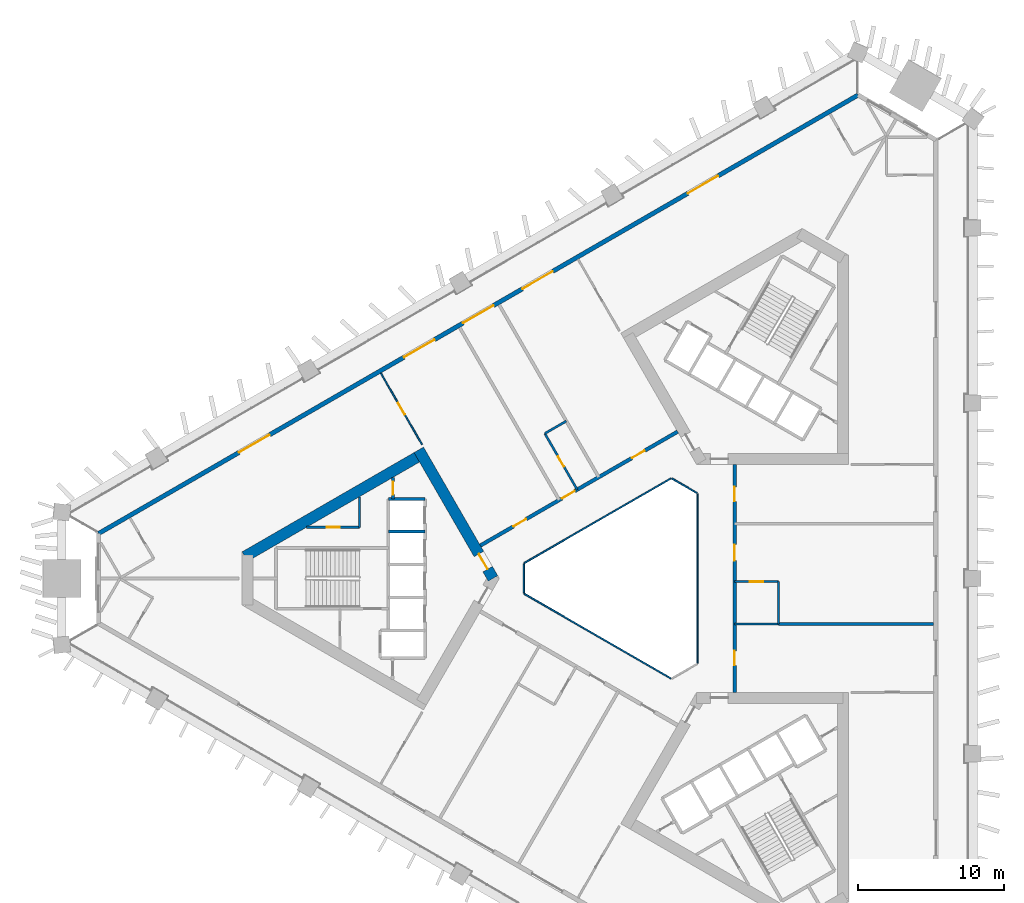
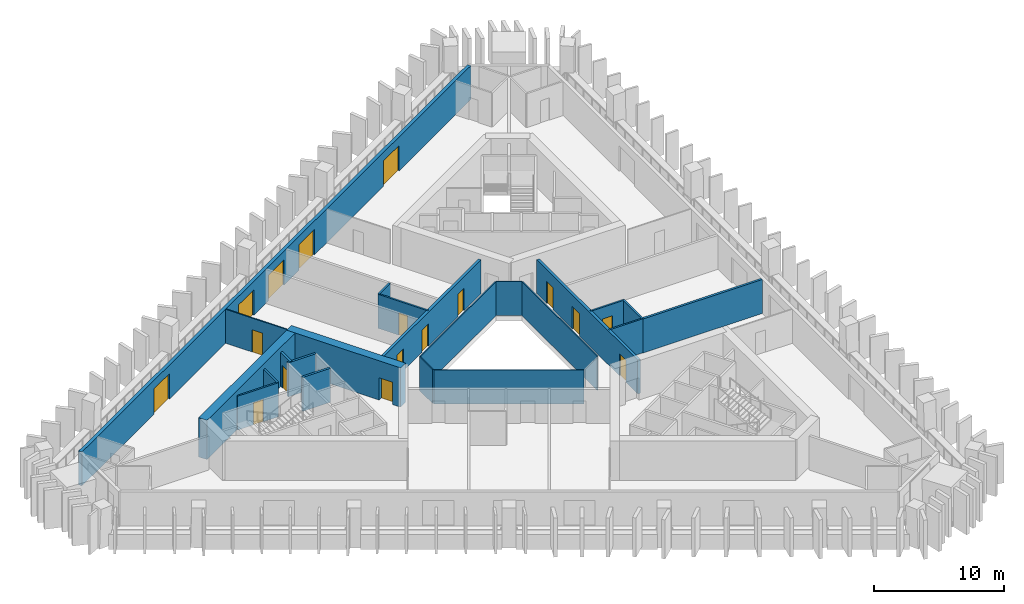
# One storey, part 5 of 11: 22 walls, 17 doors, 17 openings.
"""IFC4 building model written with IfcOpenShell, lengths in metres."""

from ifc_helpers import new_model, si_unit, direction, frame, frame_2d, origin, place, context, subcontext, project, spatial, rectangle, extrude, material, layer, layer_set, type_object, element, fill, save


model = new_model("IFC4")

# Units and contexts
model_context = context("Model", 3, precision=1e-05, world=origin(), true_north=direction((0.0, 1.0)))
body_context = subcontext(model_context, "Body", "Model", "MODEL_VIEW")
ifc_project = project(units=[si_unit("LENGTHUNIT", "METRE"), si_unit("AREAUNIT", "SQUARE_METRE"), si_unit("VOLUMEUNIT", "CUBIC_METRE"), si_unit("PLANEANGLEUNIT", "RADIAN"), si_unit("MASSUNIT", "GRAM", prefix="KILO")], contexts=[model_context])

# Site, building, storey
site_placement = place(None, origin())
site = spatial("IfcSite", under=ifc_project, at=site_placement, CompositionType="ELEMENT")
building_placement = place(site_placement, origin())
building = spatial("IfcBuilding", under=site, at=building_placement, Name="Jabali Bay Hotel Tower and Convention Centre", CompositionType="ELEMENT")
storey_placement = place(building_placement, frame((0.0, 0.0, 61.0)))
storey = spatial("IfcBuildingStorey", under=building, at=storey_placement, Name="L13", CompositionType="ELEMENT", Elevation=61.0)

# Walls
ifc_material_1 = material(Name="Fire-resistant glazing", Category="glass")
ifc_layer_1 = layer(ifc_material_1, 0.10009765625)
ifc_layer_set_1 = layer_set([ifc_layer_1], Name="Fire-resistant glazing")
wall_type_1 = type_object("IfcWallType", Name="Atrium glazed screen 100", PredefinedType="PARTITIONING", material=ifc_layer_set_1)
wall_1_placement = place(storey_placement, frame((79.56005859375, 74.205810546875, 0.0), z_axis=(0.0, 0.0, 1.0), x_axis=(0.0, 1.0, 0.0)))
element("IfcWall", 1, at=wall_1_placement, inside=storey, type_object=wall_type_1, Name="Atrium screen 1 L13", PredefinedType="PARTITIONING", context=body_context, shape_type="SweptSolid", body=[
    extrude(rectangle(XDim=11.58837890625, YDim=0.10009765625, at=frame_2d((5.794189453125, 0.0))), origin(), (0.0, 0.0, 1.0), 3.199951171875),
])
wall_2_placement = place(storey_placement, frame((79.530029296875, 85.84619140625, 0.0), z_axis=(0.0, 0.0, 1.0), x_axis=(-0.866041268327, 0.499972520799, 0.0)))
element("IfcWall", 2, at=wall_2_placement, inside=storey, type_object=wall_type_1, Name="Atrium screen 2 L13", PredefinedType="PARTITIONING", context=body_context, shape_type="SweptSolid", body=[
    extrude(rectangle(XDim=2.0, YDim=0.10009765625, at=frame_2d((1.0, 0.0))), origin(), (0.0, 0.0, 1.0), 3.199951171875),
])
wall_3_placement = place(storey_placement, frame((77.738037109375, 86.84619140625, 0.0), z_axis=(0.0, 0.0, 1.0), x_axis=(-0.866026658274, -0.499997827154, 0.0)))
element("IfcWall", 3, at=wall_3_placement, inside=storey, type_object=wall_type_1, Name="Atrium screen 3 L13", PredefinedType="PARTITIONING", context=body_context, shape_type="SweptSolid", body=[
    extrude(rectangle(XDim=11.58837890625, YDim=0.10009765625, at=frame_2d((5.794189453125, 0.0))), origin(), (0.0, 0.0, 1.0), 3.199951171875),
])
wall_4_placement = place(storey_placement, frame((67.672119140625, 81.0, 0.0), z_axis=(0.0, 0.0, 1.0), x_axis=(0.0, -1.0, 0.0)))
element("IfcWall", 4, at=wall_4_placement, inside=storey, type_object=wall_type_1, Name="Atrium screen 4 L13", PredefinedType="PARTITIONING", context=body_context, shape_type="SweptSolid", body=[
    extrude(rectangle(XDim=2.0, YDim=0.10009765625, at=frame_2d((1.0, 0.0))), origin(), (0.0, 0.0, 1.0), 3.199951171875),
])
wall_5_placement = place(storey_placement, frame((67.7021484375, 78.947998046875, 0.0), z_axis=(0.0, 0.0, 1.0), x_axis=(0.866026658274, -0.499997827154, 0.0)))
element("IfcWall", 5, at=wall_5_placement, inside=storey, type_object=wall_type_1, Name="Atrium screen 5 L13", PredefinedType="PARTITIONING", context=body_context, shape_type="SweptSolid", body=[
    extrude(rectangle(XDim=11.58837890625, YDim=0.10009765625, at=frame_2d((5.794189453125, 0.0))), origin(), (0.0, 0.0, 1.0), 3.199951171875),
])

# Wall, opening, door
ifc_material_2 = material(Name="Concrete C40", Category="concrete")
ifc_layer_2 = layer(ifc_material_2, 0.199951171875)
ifc_layer_set_2 = layer_set([ifc_layer_2], Name="Concrete C40")
wall_type_2 = type_object("IfcWallType", Name="Core partition wall 200", PredefinedType="PARTITIONING", material=ifc_layer_set_2)
wall_6_placement = place(storey_placement, frame((58.719970703125, 86.916748046875, 0.0), z_axis=(0.0, 0.0, 1.0), x_axis=(0.0, -1.0, 0.0)))
wall_6 = element("IfcWall", 6, at=wall_6_placement, inside=storey, type_object=wall_type_2, Name="Core wall 0.11 L13", PredefinedType="PARTITIONING", context=body_context, shape_type="SweptSolid", body=[
    extrude(rectangle(XDim=1.466796875, YDim=0.199951171875, at=frame_2d((0.7333984375, 0.0))), origin(), (0.0, 0.0, 1.0), 3.199951171875),
])
opening_1_placement = place(wall_6_placement, frame((0.283447265625, 0.0, 0.0)))
opening_1 = element("IfcOpeningElement", 7, at=opening_1_placement, cuts=wall_6, Name="Opening D349", PredefinedType="OPENING", context=body_context, shape_type="SweptSolid", body=[
    extrude(rectangle(XDim=0.89990234375, YDim=2.10009765625, at=frame_2d((0.449951171875, 1.050048828125))), frame((0.0, 0.1103515625, 0.0), z_axis=(0.0, -1.0, 0.0), x_axis=(1.0, 0.0, 0.0)), (0.0, 0.0, 1.0), 0.220947265625),
])
ifc_material_3 = material(Name="Fire-rated steel door", Category="steel")
door_type_1 = type_object("IfcDoorType", Name="Vestibule fire door 900 x 2100", OperationType="NOTDEFINED", PredefinedType="NOTDEFINED", material=ifc_material_3)
door_1_placement = place(opening_1_placement, origin())
door_1 = element("IfcDoor", 8, at=door_1_placement, inside=storey, type_object=door_type_1, Name="Vestibule fire door D349", OperationType="SINGLE_SWING_LEFT", OverallHeight=2.10009765625, OverallWidth=0.89990234375, PredefinedType="NOTDEFINED", context=body_context, shape_type="SweptSolid", body=[
    extrude(rectangle(XDim=0.89990234375, YDim=2.10009765625, at=frame_2d((0.449951171875, 1.050048828125))), frame((0.0, 0.02490234375, 0.0), z_axis=(0.0, -1.0, 0.0), x_axis=(1.0, 0.0, 0.0)), (0.0, 0.0, 1.0), 0.050048828125),
])
fill(opening_1, door_1)

ifc_material_4 = material(Name="Fire-rated board partition")
ifc_layer_3 = layer(ifc_material_4, 0.14990234375)
ifc_layer_set_3 = layer_set([ifc_layer_3], Name="Fire-rated board partition")
wall_type_3 = type_object("IfcWallType", Name="Core room partition 150", PredefinedType="PARTITIONING", material=ifc_layer_set_3)
wall_7_placement = place(storey_placement, frame((56.419921875, 83.5, 0.0), z_axis=(0.0, 0.0, 1.0), x_axis=(-1.0, 0.0, 0.0)))
wall_7 = element("IfcWall", 9, at=wall_7_placement, inside=storey, type_object=wall_type_3, Name="Core wall 0.1 L13", PredefinedType="PARTITIONING", context=body_context, shape_type="SweptSolid", body=[
    extrude(rectangle(XDim=3.61767578125, YDim=0.14990234375, at=frame_2d((1.808837890625, 0.0))), origin(), (0.0, 0.0, 1.0), 3.199951171875),
])
opening_2_placement = place(wall_7_placement, frame((1.33154296875, 0.0, 0.0)))
opening_2 = element("IfcOpeningElement", 10, at=opening_2_placement, cuts=wall_7, Name="Opening D351", PredefinedType="OPENING", context=body_context, shape_type="SweptSolid", body=[
    extrude(rectangle(XDim=0.89990234375, YDim=2.10009765625, at=frame_2d((0.449951171875, 1.050048828125))), frame((0.0, 0.08544921875, 0.0), z_axis=(0.0, -1.0, 0.0), x_axis=(1.0, 0.0, 0.0)), (0.0, 0.0, 1.0), 0.1708984375),
])
door_type_2 = type_object("IfcDoorType", Name="Core room door 900 x 2100", OperationType="NOTDEFINED", PredefinedType="NOTDEFINED", material=ifc_material_3)
door_2_placement = place(opening_2_placement, origin())
door_2 = element("IfcDoor", 11, at=door_2_placement, inside=storey, type_object=door_type_2, Name="Core room door D351", OperationType="SINGLE_SWING_LEFT", OverallHeight=2.10009765625, OverallWidth=0.89990234375, PredefinedType="NOTDEFINED", context=body_context, shape_type="SweptSolid", body=[
    extrude(rectangle(XDim=0.89990234375, YDim=2.10009765625, at=frame_2d((0.449951171875, 1.050048828125))), frame((0.0, 0.02490234375, 0.0), z_axis=(0.0, -1.0, 0.0), x_axis=(1.0, 0.0, 0.0)), (0.0, 0.0, 1.0), 0.050048828125),
])
fill(opening_2, door_2)

# Walls
wall_8_placement = place(storey_placement, frame((56.419921875, 85.5888671875, 0.0), z_axis=(0.0, 0.0, 1.0), x_axis=(0.0, -1.0, 0.0)))
element("IfcWall", 12, at=wall_8_placement, inside=storey, type_object=wall_type_3, Name="Core wall 0.15 L13", PredefinedType="PARTITIONING", context=body_context, shape_type="SweptSolid", body=[
    extrude(rectangle(XDim=2.0888671875, YDim=0.14990234375, at=frame_2d((1.04443359375, 0.0))), origin(), (0.0, 0.0, 1.0), 3.199951171875),
])
ifc_layer_4 = layer(ifc_material_2, 0.199951171875)
ifc_layer_set_4 = layer_set([ifc_layer_4], Name="Concrete C40")
wall_type_4 = type_object("IfcWallType", Name="Core stair wall 200", PredefinedType="SOLIDWALL", material=ifc_layer_set_4)
for number, where, z_axis, x_axis, name in (
    (13, (60.89990234375, 85.449951171875, 0.0), (0.0, 0.0, 1.0), (-1.0, 0.0, 0.0), "Core wall 0.0 L13"),
    (14, (60.89990234375, 83.199951171875, 0.0), (0.0, 0.0, 1.0), (-1.0, 0.0, 0.0), "Core wall 0.2 L13"),
):
    element("IfcWall", number, at=place(storey_placement, frame(where, z_axis=z_axis, x_axis=x_axis)), inside=storey, type_object=wall_type_4, Name=name, PredefinedType="SOLIDWALL", context=body_context, shape_type="SweptSolid", body=[
        extrude(rectangle(XDim=2.47998046875, YDim=0.199951171875, at=frame_2d((1.239990234375, 0.0))), origin(), (0.0, 0.0, 1.0), 3.199951171875),
    ])

# Wall, opening, door
ifc_material_5 = material(Name="Concrete C60", Category="concrete")
ifc_layer_5 = layer(ifc_material_5, 0.75)
ifc_layer_set_5 = layer_set([ifc_layer_5], Name="Concrete C60")
wall_type_5 = type_object("IfcWallType", Name="Core wall 750", PredefinedType="SHEAR", material=ifc_layer_set_5)
wall_9_placement = place(storey_placement, frame((65.56689453125, 80.0, 0.0), z_axis=(0.0, 0.0, 1.0), x_axis=(-0.499988615364, 0.866031976607, 0.0)))
wall_9 = element("IfcWall", 15, at=wall_9_placement, inside=storey, type_object=wall_type_5, Name="Core wall 1.1 L13", PredefinedType="SHEAR", context=body_context, shape_type="SweptSolid", body=[
    extrude(rectangle(XDim=10.163330078125, YDim=0.75, at=frame_2d((5.08154296875, 0.0))), origin(), (0.0, 0.0, 1.0), 3.699951171875),
])
opening_3_placement = place(wall_9_placement, frame((0.7333984375, 0.0, 0.0)))
opening_3 = element("IfcOpeningElement", 16, at=opening_3_placement, cuts=wall_9, Name="Opening D345", PredefinedType="OPENING", context=body_context, shape_type="SweptSolid", body=[
    extrude(rectangle(XDim=1.199951171875, YDim=2.10009765625, at=frame_2d((0.60009765625, 1.050048828125))), frame((0.0, 0.385498046875, 0.0), z_axis=(0.0, -1.0, 0.0), x_axis=(1.0, 0.0, 0.0)), (0.0, 0.0, 1.0), 0.77099609375),
])
door_type_3 = type_object("IfcDoorType", Name="Corridor end fire door 1200 x 2100", OperationType="NOTDEFINED", PredefinedType="NOTDEFINED", material=ifc_material_3)
door_3_placement = place(opening_3_placement, origin())
door_3 = element("IfcDoor", 17, at=door_3_placement, inside=storey, type_object=door_type_3, Name="Corridor end fire door D345", OperationType="SINGLE_SWING_RIGHT", OverallHeight=2.10009765625, OverallWidth=1.199951171875, PredefinedType="NOTDEFINED", context=body_context, shape_type="SweptSolid", body=[
    extrude(rectangle(XDim=1.199951171875, YDim=2.10009765625, at=frame_2d((0.60009765625, 1.050048828125))), frame((0.0, 0.02490234375, 0.0), z_axis=(0.0, -1.0, 0.0), x_axis=(1.0, 0.0, 0.0)), (0.0, 0.0, 1.0), 0.050048828125),
])
fill(opening_3, door_3)

# Wall
wall_10_placement = place(storey_placement, frame((60.6728515625, 88.47705078125, 0.0), z_axis=(0.0, 0.0, 1.0), x_axis=(-0.8660248072, -0.500001033313, 0.0)))
element("IfcWall", 18, at=wall_10_placement, inside=storey, type_object=wall_type_5, Name="Core wall 1.2 L13", PredefinedType="SHEAR", context=body_context, shape_type="SweptSolid", body=[
    extrude(rectangle(XDim=13.95849609375, YDim=0.75, at=frame_2d((6.979248046875, 0.0))), origin(), (0.0, 0.0, 1.0), 3.699951171875),
])

# Wall, openings, doors
ifc_layer_6 = layer(ifc_material_5, 0.25)
ifc_layer_set_6 = layer_set([ifc_layer_6], Name="Concrete C60")
wall_type_6 = type_object("IfcWallType", Name="Corridor wall 250", PredefinedType="SHEAR", material=ifc_layer_set_6)
wall_11_placement = place(storey_placement, frame((82.10009765625, 72.205810546875, 0.0), z_axis=(0.0, 0.0, 1.0), x_axis=(0.0, 1.0, 0.0)))
wall_11 = element("IfcWall", 19, at=wall_11_placement, inside=storey, type_object=wall_type_6, Name="Corridor wall 1 L13", PredefinedType="SHEAR", context=body_context, shape_type="SweptSolid", body=[
    extrude(rectangle(XDim=15.58837890625, YDim=0.25, at=frame_2d((7.794189453125, 0.0))), origin(), (0.0, 0.0, 1.0), 3.199951171875),
])
opening_4_placement = place(wall_11_placement, frame((1.83837890625, 0.0, 0.0)))
opening_4 = element("IfcOpeningElement", 20, at=opening_4_placement, cuts=wall_11, Name="Opening 1301", PredefinedType="OPENING", context=body_context, shape_type="SweptSolid", body=[
    extrude(rectangle(XDim=1.0, YDim=2.10009765625, at=frame_2d((0.5, 1.050048828125))), frame((0.0, 0.135498046875, 0.0), z_axis=(0.0, -1.0, 0.0), x_axis=(1.0, 0.0, 0.0)), (0.0, 0.0, 1.0), 0.27099609375),
])
opening_5_placement = place(wall_11_placement, frame((9.006103515625, 0.0, 0.0)))
opening_5 = element("IfcOpeningElement", 21, at=opening_5_placement, cuts=wall_11, Name="Opening 1305", PredefinedType="OPENING", context=body_context, shape_type="SweptSolid", body=[
    extrude(rectangle(XDim=1.10009765625, YDim=2.10009765625, at=frame_2d((0.550048828125, 1.050048828125))), frame((0.0, 0.135498046875, 0.0), z_axis=(0.0, -1.0, 0.0), x_axis=(1.0, 0.0, 0.0)), (0.0, 0.0, 1.0), 0.27099609375),
])
opening_6_placement = place(wall_11_placement, frame((13.06201171875, 0.0, 0.0)))
opening_6 = element("IfcOpeningElement", 22, at=opening_6_placement, cuts=wall_11, Name="Opening 1306", PredefinedType="OPENING", context=body_context, shape_type="SweptSolid", body=[
    extrude(rectangle(XDim=1.0, YDim=2.10009765625, at=frame_2d((0.5, 1.050048828125))), frame((0.0, 0.135498046875, 0.0), z_axis=(0.0, -1.0, 0.0), x_axis=(1.0, 0.0, 0.0)), (0.0, 0.0, 1.0), 0.27099609375),
])
ifc_material_6 = material(Name="Timber", Category="wood")
door_type_4 = type_object("IfcDoorType", Name="Accessible guest room door 1100 x 2100", OperationType="NOTDEFINED", PredefinedType="NOTDEFINED", material=ifc_material_6)
door_4_placement = place(opening_5_placement, origin())
door_4 = element("IfcDoor", 23, at=door_4_placement, inside=storey, type_object=door_type_4, Name="Door 1305", OperationType="SINGLE_SWING_RIGHT", OverallHeight=2.10009765625, OverallWidth=1.10009765625, PredefinedType="NOTDEFINED", context=body_context, shape_type="SweptSolid", body=[
    extrude(rectangle(XDim=1.10009765625, YDim=2.10009765625, at=frame_2d((0.550048828125, 1.050048828125))), frame((0.0, 0.02490234375, 0.0), z_axis=(0.0, -1.0, 0.0), x_axis=(1.0, 0.0, 0.0)), (0.0, 0.0, 1.0), 0.050048828125),
])
fill(opening_5, door_4)
door_type_5 = type_object("IfcDoorType", Name="Guest room door 1000 x 2100", OperationType="NOTDEFINED", PredefinedType="NOTDEFINED", material=ifc_material_6)
door_5_placement = place(opening_4_placement, origin())
door_5 = element("IfcDoor", 24, at=door_5_placement, inside=storey, type_object=door_type_5, Name="Door 1301", OperationType="SINGLE_SWING_LEFT", OverallHeight=2.10009765625, OverallWidth=1.0, PredefinedType="NOTDEFINED", context=body_context, shape_type="SweptSolid", body=[
    extrude(rectangle(XDim=1.0, YDim=2.10009765625, at=frame_2d((0.5, 1.050048828125))), frame((0.0, 0.02490234375, 0.0), z_axis=(0.0, -1.0, 0.0), x_axis=(1.0, 0.0, 0.0)), (0.0, 0.0, 1.0), 0.050048828125),
])
fill(opening_4, door_5)
door_6_placement = place(opening_6_placement, origin())
door_6 = element("IfcDoor", 25, at=door_6_placement, inside=storey, type_object=door_type_5, Name="Door 1306", OperationType="SINGLE_SWING_RIGHT", OverallHeight=2.10009765625, OverallWidth=1.0, PredefinedType="NOTDEFINED", context=body_context, shape_type="SweptSolid", body=[
    extrude(rectangle(XDim=1.0, YDim=2.10009765625, at=frame_2d((0.5, 1.050048828125))), frame((0.0, 0.02490234375, 0.0), z_axis=(0.0, -1.0, 0.0), x_axis=(1.0, 0.0, 0.0)), (0.0, 0.0, 1.0), 0.050048828125),
])
fill(opening_6, door_6)

wall_12_placement = place(storey_placement, frame((78.199951171875, 90.0458984375, 0.0), z_axis=(0.0, 0.0, 1.0), x_axis=(-0.866026492143, -0.499998114903, 0.0)))
wall_12 = element("IfcWall", 26, at=wall_12_placement, inside=storey, type_object=wall_type_6, Name="Corridor wall 2 L13", PredefinedType="SHEAR", context=body_context, shape_type="SweptSolid", body=[
    extrude(rectangle(XDim=15.58837890625, YDim=0.25, at=frame_2d((7.794189453125, 0.0))), origin(), (0.0, 0.0, 1.0), 3.199951171875),
])
opening_7_placement = place(wall_12_placement, frame((2.61767578125, 0.0, 0.0)))
opening_7 = element("IfcOpeningElement", 27, at=opening_7_placement, cuts=wall_12, Name="Opening 1309", PredefinedType="OPENING", context=body_context, shape_type="SweptSolid", body=[
    extrude(rectangle(XDim=1.0, YDim=2.10009765625, at=frame_2d((0.5, 1.050048828125))), frame((0.0, 0.135498046875, 0.0), z_axis=(0.0, -1.0, 0.0), x_axis=(1.0, 0.0, 0.0)), (0.0, 0.0, 1.0), 0.27099609375),
])
opening_8_placement = place(wall_12_placement, frame((8.133056640625, 0.0, 0.0)))
opening_8 = element("IfcOpeningElement", 28, at=opening_8_placement, cuts=wall_12, Name="Opening 1313", PredefinedType="OPENING", context=body_context, shape_type="SweptSolid", body=[
    extrude(rectangle(XDim=1.0, YDim=2.10009765625, at=frame_2d((0.5, 1.050048828125))), frame((0.0, 0.135498046875, 0.0), z_axis=(0.0, -1.0, 0.0), x_axis=(1.0, 0.0, 0.0)), (0.0, 0.0, 1.0), 0.27099609375),
])
opening_9_placement = place(wall_12_placement, frame((11.970703125, 0.0, 0.0)))
opening_9 = element("IfcOpeningElement", 29, at=opening_9_placement, cuts=wall_12, Name="Opening 1314", PredefinedType="OPENING", context=body_context, shape_type="SweptSolid", body=[
    extrude(rectangle(XDim=1.0, YDim=2.10009765625, at=frame_2d((0.5, 1.050048828125))), frame((0.0, 0.135498046875, 0.0), z_axis=(0.0, -1.0, 0.0), x_axis=(1.0, 0.0, 0.0)), (0.0, 0.0, 1.0), 0.27099609375),
])
door_7_placement = place(opening_7_placement, origin())
door_7 = element("IfcDoor", 30, at=door_7_placement, inside=storey, type_object=door_type_5, Name="Door 1309", OperationType="SINGLE_SWING_LEFT", OverallHeight=2.10009765625, OverallWidth=1.0, PredefinedType="NOTDEFINED", context=body_context, shape_type="SweptSolid", body=[
    extrude(rectangle(XDim=1.0, YDim=2.10009765625, at=frame_2d((0.5, 1.050048828125))), frame((0.0, 0.02490234375, 0.0), z_axis=(0.0, -1.0, 0.0), x_axis=(1.0, 0.0, 0.0)), (0.0, 0.0, 1.0), 0.050048828125),
])
fill(opening_7, door_7)
door_8_placement = place(opening_8_placement, origin())
door_8 = element("IfcDoor", 31, at=door_8_placement, inside=storey, type_object=door_type_5, Name="Door 1313", OperationType="SINGLE_SWING_RIGHT", OverallHeight=2.10009765625, OverallWidth=1.0, PredefinedType="NOTDEFINED", context=body_context, shape_type="SweptSolid", body=[
    extrude(rectangle(XDim=1.0, YDim=2.10009765625, at=frame_2d((0.5, 1.050048828125))), frame((0.0, 0.02490234375, 0.0), z_axis=(0.0, -1.0, 0.0), x_axis=(1.0, 0.0, 0.0)), (0.0, 0.0, 1.0), 0.050048828125),
])
fill(opening_8, door_8)
door_9_placement = place(opening_9_placement, origin())
door_9 = element("IfcDoor", 32, at=door_9_placement, inside=storey, type_object=door_type_5, Name="Door 1314", OperationType="SINGLE_SWING_RIGHT", OverallHeight=2.10009765625, OverallWidth=1.0, PredefinedType="NOTDEFINED", context=body_context, shape_type="SweptSolid", body=[
    extrude(rectangle(XDim=1.0, YDim=2.10009765625, at=frame_2d((0.5, 1.050048828125))), frame((0.0, 0.02490234375, 0.0), z_axis=(0.0, -1.0, 0.0), x_axis=(1.0, 0.0, 0.0)), (0.0, 0.0, 1.0), 0.050048828125),
])
fill(opening_9, door_9)

ifc_layer_7 = layer(ifc_material_2, 0.300048828125)
ifc_layer_set_7 = layer_set([ifc_layer_7], Name="Concrete C40")
wall_type_7 = type_object("IfcWallType", Name="External wall 300", PredefinedType="SOLIDWALL", material=ifc_layer_set_7)
wall_13_placement = place(storey_placement, frame((38.5712890625, 83.0712890625, 0.0), z_axis=(0.0, 0.0, 1.0), x_axis=(0.866024926003, 0.500000827541, 0.0)))
wall_13 = element("IfcWall", 33, at=wall_13_placement, inside=storey, type_object=wall_type_7, Name="External wall north-west face L13", PredefinedType="SOLIDWALL", context=body_context, shape_type="SweptSolid", body=[
    extrude(rectangle(XDim=60.025390625, YDim=0.300048828125, at=frame_2d((30.0126953125, 0.0))), origin(), (0.0, 0.0, 1.0), 3.199951171875),
])
opening_10_placement = place(wall_13_placement, frame((33.4892578125, 0.0, 0.0)))
opening_10 = element("IfcOpeningElement", 34, at=opening_10_placement, cuts=wall_13, Name="Opening SD1", PredefinedType="OPENING", context=body_context, shape_type="SweptSolid", body=[
    extrude(rectangle(XDim=2.39990234375, YDim=2.39990234375, at=frame_2d((1.199951171875, 1.199951171875))), frame((0.0, 0.16064453125, 0.0), z_axis=(0.0, -1.0, 0.0), x_axis=(1.0, 0.0, 0.0)), (0.0, 0.0, 1.0), 0.321044921875),
])
opening_11_placement = place(wall_13_placement, frame((46.557861328125, 0.0, 0.0)))
opening_11 = element("IfcOpeningElement", 35, at=opening_11_placement, cuts=wall_13, Name="Opening SD1", PredefinedType="OPENING", context=body_context, shape_type="SweptSolid", body=[
    extrude(rectangle(XDim=2.39990234375, YDim=2.39990234375, at=frame_2d((1.199951171875, 1.199951171875))), frame((0.0, 0.16064453125, 0.0), z_axis=(0.0, -1.0, 0.0), x_axis=(1.0, 0.0, 0.0)), (0.0, 0.0, 1.0), 0.321044921875),
])
opening_12_placement = place(wall_13_placement, frame((24.13623046875, 0.0, 0.0)))
opening_12 = element("IfcOpeningElement", 36, at=opening_12_placement, cuts=wall_13, Name="Opening SD1", PredefinedType="OPENING", context=body_context, shape_type="SweptSolid", body=[
    extrude(rectangle(XDim=2.39990234375, YDim=2.39990234375, at=frame_2d((1.199951171875, 1.199951171875))), frame((0.0, 0.16064453125, 0.0), z_axis=(0.0, -1.0, 0.0), x_axis=(1.0, 0.0, 0.0)), (0.0, 0.0, 1.0), 0.321044921875),
])
opening_13_placement = place(wall_13_placement, frame((11.109375, 0.0, 0.0)))
opening_13 = element("IfcOpeningElement", 37, at=opening_13_placement, cuts=wall_13, Name="Opening SD1", PredefinedType="OPENING", context=body_context, shape_type="SweptSolid", body=[
    extrude(rectangle(XDim=2.39990234375, YDim=2.39990234375, at=frame_2d((1.199951171875, 1.199951171875))), frame((0.0, 0.16064453125, 0.0), z_axis=(0.0, -1.0, 0.0), x_axis=(1.0, 0.0, 0.0)), (0.0, 0.0, 1.0), 0.321044921875),
])
opening_14_placement = place(wall_13_placement, frame((28.812744140625, 0.0, 0.0)))
opening_14 = element("IfcOpeningElement", 38, at=opening_14_placement, cuts=wall_13, Name="Opening SD1", PredefinedType="OPENING", context=body_context, shape_type="SweptSolid", body=[
    extrude(rectangle(XDim=2.39990234375, YDim=2.39990234375, at=frame_2d((1.199951171875, 1.199951171875))), frame((0.0, 0.16064453125, 0.0), z_axis=(0.0, -1.0, 0.0), x_axis=(1.0, 0.0, 0.0)), (0.0, 0.0, 1.0), 0.321044921875),
])
ifc_material_7 = material(Name="Glass", Category="glass")
door_type_6 = type_object("IfcDoorType", Name="Loggia sliding door 2400 x 2400", OperationType="NOTDEFINED", PredefinedType="NOTDEFINED", material=ifc_material_7)
door_10_placement = place(opening_10_placement, origin())
door_10 = element("IfcDoor", 39, at=door_10_placement, inside=storey, type_object=door_type_6, Name="Loggia sliding door 1304", OperationType="SLIDING_TO_LEFT", OverallHeight=2.39990234375, OverallWidth=2.39990234375, PredefinedType="NOTDEFINED", context=body_context, shape_type="SweptSolid", body=[
    extrude(rectangle(XDim=2.39990234375, YDim=2.39990234375, at=frame_2d((1.199951171875, 1.199951171875))), frame((0.0, 0.02490234375, 0.0), z_axis=(0.0, -1.0, 0.0), x_axis=(1.0, 0.0, 0.0)), (0.0, 0.0, 1.0), 0.050048828125),
])
fill(opening_10, door_10)
door_11_placement = place(opening_11_placement, origin())
door_11 = element("IfcDoor", 40, at=door_11_placement, inside=storey, type_object=door_type_6, Name="Loggia sliding door 1304", OperationType="SLIDING_TO_RIGHT", OverallHeight=2.39990234375, OverallWidth=2.39990234375, PredefinedType="NOTDEFINED", context=body_context, shape_type="SweptSolid", body=[
    extrude(rectangle(XDim=2.39990234375, YDim=2.39990234375, at=frame_2d((1.199951171875, 1.199951171875))), frame((0.0, 0.02490234375, 0.0), z_axis=(0.0, -1.0, 0.0), x_axis=(1.0, 0.0, 0.0)), (0.0, 0.0, 1.0), 0.050048828125),
])
fill(opening_11, door_11)
door_12_placement = place(opening_12_placement, origin())
door_12 = element("IfcDoor", 41, at=door_12_placement, inside=storey, type_object=door_type_6, Name="Loggia sliding door 1306", OperationType="SLIDING_TO_LEFT", OverallHeight=2.39990234375, OverallWidth=2.39990234375, PredefinedType="NOTDEFINED", context=body_context, shape_type="SweptSolid", body=[
    extrude(rectangle(XDim=2.39990234375, YDim=2.39990234375, at=frame_2d((1.199951171875, 1.199951171875))), frame((0.0, 0.02490234375, 0.0), z_axis=(0.0, -1.0, 0.0), x_axis=(1.0, 0.0, 0.0)), (0.0, 0.0, 1.0), 0.050048828125),
])
fill(opening_12, door_12)
door_13_placement = place(opening_13_placement, origin())
door_13 = element("IfcDoor", 42, at=door_13_placement, inside=storey, type_object=door_type_6, Name="Loggia sliding door 1306", OperationType="SLIDING_TO_RIGHT", OverallHeight=2.39990234375, OverallWidth=2.39990234375, PredefinedType="NOTDEFINED", context=body_context, shape_type="SweptSolid", body=[
    extrude(rectangle(XDim=2.39990234375, YDim=2.39990234375, at=frame_2d((1.199951171875, 1.199951171875))), frame((0.0, 0.02490234375, 0.0), z_axis=(0.0, -1.0, 0.0), x_axis=(1.0, 0.0, 0.0)), (0.0, 0.0, 1.0), 0.050048828125),
])
fill(opening_13, door_13)
door_14_placement = place(opening_14_placement, origin())
door_14 = element("IfcDoor", 43, at=door_14_placement, inside=storey, type_object=door_type_6, Name="Loggia sliding door 1305", OperationType="SLIDING_TO_LEFT", OverallHeight=2.39990234375, OverallWidth=2.39990234375, PredefinedType="NOTDEFINED", context=body_context, shape_type="SweptSolid", body=[
    extrude(rectangle(XDim=2.39990234375, YDim=2.39990234375, at=frame_2d((1.199951171875, 1.199951171875))), frame((0.0, 0.02490234375, 0.0), z_axis=(0.0, -1.0, 0.0), x_axis=(1.0, 0.0, 0.0)), (0.0, 0.0, 1.0), 0.050048828125),
])
fill(opening_14, door_14)

# Wall, opening, door
ifc_material_8 = material(Name="Plasterboard on steel stud", Category="steel")
ifc_layer_8 = layer(ifc_material_8, 0.10009765625)
ifc_layer_set_8 = layer_set([ifc_layer_8], Name="Plasterboard on steel stud")
wall_type_8 = type_object("IfcWallType", Name="Partition 100 unit", PredefinedType="PARTITIONING", material=ifc_layer_set_8)
wall_14_placement = place(storey_placement, frame((57.887451171875, 94.05126953125, 0.0), z_axis=(0.0, 0.0, 1.0), x_axis=(0.49999444814, -0.866028609128, 0.0)))
wall_14 = element("IfcWall", 44, at=wall_14_placement, inside=storey, type_object=wall_type_8, Name="Partition P02 L13 024", PredefinedType="PARTITIONING", context=body_context, shape_type="SweptSolid", body=[
    extrude(rectangle(XDim=5.64599609375, YDim=0.10009765625, at=frame_2d((2.822998046875, 0.0))), origin(), (0.0, 0.0, 1.0), 3.199951171875),
])
opening_15_placement = place(wall_14_placement, frame((2.373046875, 0.0, 0.0)))
opening_15 = element("IfcOpeningElement", 45, at=opening_15_placement, cuts=wall_14, Name="Opening 1315", PredefinedType="OPENING", context=body_context, shape_type="SweptSolid", body=[
    extrude(rectangle(XDim=0.89990234375, YDim=2.10009765625, at=frame_2d((0.449951171875, 1.050048828125))), frame((0.0, 0.060546875, 0.0), z_axis=(0.0, -1.0, 0.0), x_axis=(1.0, 0.0, 0.0)), (0.0, 0.0, 1.0), 0.12109375),
])
door_type_7 = type_object("IfcDoorType", Name="Internal door 900 x 2100", OperationType="NOTDEFINED", PredefinedType="NOTDEFINED", material=ifc_material_6)
door_15_placement = place(opening_15_placement, origin())
door_15 = element("IfcDoor", 46, at=door_15_placement, inside=storey, type_object=door_type_7, Name="Door 1315", OperationType="SINGLE_SWING_LEFT", OverallHeight=2.10009765625, OverallWidth=0.89990234375, PredefinedType="NOTDEFINED", context=body_context, shape_type="SweptSolid", body=[
    extrude(rectangle(XDim=0.89990234375, YDim=2.10009765625, at=frame_2d((0.449951171875, 1.050048828125))), frame((0.0, 0.02490234375, 0.0), z_axis=(0.0, -1.0, 0.0), x_axis=(1.0, 0.0, 0.0)), (0.0, 0.0, 1.0), 0.050048828125),
])
fill(opening_15, door_15)

# Wall
ifc_layer_9 = layer(ifc_material_8, 0.14990234375)
ifc_layer_set_9 = layer_set([ifc_layer_9], Name="Plasterboard on steel stud")
wall_type_9 = type_object("IfcWallType", Name="Partition 150 wet", PredefinedType="PARTITIONING", material=ifc_layer_set_9)
wall_15_placement = place(storey_placement, frame((85.10009765625, 76.88232421875, 0.0), z_axis=(0.0, 0.0, 1.0), x_axis=(-1.0, 0.0, 0.0)))
element("IfcWall", 47, at=wall_15_placement, inside=storey, type_object=wall_type_9, Name="Partition P03 L13 003", PredefinedType="PARTITIONING", context=body_context, shape_type="SweptSolid", body=[
    extrude(rectangle(XDim=3.0, YDim=0.14990234375, at=frame_2d((1.5, 0.0))), origin(), (0.0, 0.0, 1.0), 3.199951171875),
])

# Wall, opening, door
wall_16_placement = place(storey_placement, frame((82.10009765625, 79.7822265625, 0.0), z_axis=(0.0, 0.0, 1.0), x_axis=(1.0, 0.0, 0.0)))
wall_16 = element("IfcWall", 48, at=wall_16_placement, inside=storey, type_object=wall_type_9, Name="Partition P03 L13 008", PredefinedType="PARTITIONING", context=body_context, shape_type="SweptSolid", body=[
    extrude(rectangle(XDim=3.0, YDim=0.14990234375, at=frame_2d((1.5, 0.0))), origin(), (0.0, 0.0, 1.0), 3.199951171875),
])
opening_16_placement = place(wall_16_placement, frame((1.050048828125, 0.0, 0.0)))
opening_16 = element("IfcOpeningElement", 49, at=opening_16_placement, cuts=wall_16, Name="Opening 1304", PredefinedType="OPENING", context=body_context, shape_type="SweptSolid", body=[
    extrude(rectangle(XDim=0.89990234375, YDim=2.10009765625, at=frame_2d((0.449951171875, 1.050048828125))), frame((0.0, 0.08544921875, 0.0), z_axis=(0.0, -1.0, 0.0), x_axis=(1.0, 0.0, 0.0)), (0.0, 0.0, 1.0), 0.1708984375),
])
door_type_8 = type_object("IfcDoorType", Name="Accessible en-suite door 900 x 2100", OperationType="NOTDEFINED", PredefinedType="NOTDEFINED", material=ifc_material_6)
door_16_placement = place(opening_16_placement, origin())
door_16 = element("IfcDoor", 50, at=door_16_placement, inside=storey, type_object=door_type_8, Name="Door 1304", OperationType="SINGLE_SWING_LEFT", OverallHeight=2.10009765625, OverallWidth=0.89990234375, PredefinedType="NOTDEFINED", context=body_context, shape_type="SweptSolid", body=[
    extrude(rectangle(XDim=0.89990234375, YDim=2.10009765625, at=frame_2d((0.449951171875, 1.050048828125))), frame((0.0, 0.02490234375, 0.0), z_axis=(0.0, -1.0, 0.0), x_axis=(1.0, 0.0, 0.0)), (0.0, 0.0, 1.0), 0.050048828125),
])
fill(opening_16, door_16)

# Wall
wall_17_placement = place(storey_placement, frame((85.10009765625, 79.7822265625, 0.0), z_axis=(0.0, 0.0, 1.0), x_axis=(0.0, -1.0, 0.0)))
element("IfcWall", 51, at=wall_17_placement, inside=storey, type_object=wall_type_9, Name="Partition P03 L13 009", PredefinedType="PARTITIONING", context=body_context, shape_type="SweptSolid", body=[
    extrude(rectangle(XDim=2.89990234375, YDim=0.14990234375, at=frame_2d((1.449951171875, 0.0))), origin(), (0.0, 0.0, 1.0), 3.199951171875),
])

# Wall, opening, door
wall_18_placement = place(storey_placement, frame((71.32763671875, 86.078125, 0.0), z_axis=(0.0, 0.0, 1.0), x_axis=(-0.499981348214, 0.86603617213, 0.0)))
wall_18 = element("IfcWall", 52, at=wall_18_placement, inside=storey, type_object=wall_type_9, Name="Partition P03 L13 021", PredefinedType="PARTITIONING", context=body_context, shape_type="SweptSolid", body=[
    extrude(rectangle(XDim=4.435302734375, YDim=0.14990234375, at=frame_2d((2.2177734375, 0.0))), origin(), (0.0, 0.0, 1.0), 3.199951171875),
])
opening_17_placement = place(wall_18_placement, frame((1.818115234375, 0.0, 0.0)))
opening_17 = element("IfcOpeningElement", 53, at=opening_17_placement, cuts=wall_18, Name="Opening 1312", PredefinedType="OPENING", context=body_context, shape_type="SweptSolid", body=[
    extrude(rectangle(XDim=0.800048828125, YDim=2.10009765625, at=frame_2d((0.39990234375, 1.050048828125))), frame((0.0, 0.08544921875, 0.0), z_axis=(0.0, -1.0, 0.0), x_axis=(1.0, 0.0, 0.0)), (0.0, 0.0, 1.0), 0.1708984375),
])
door_type_9 = type_object("IfcDoorType", Name="En-suite door 800 x 2100", OperationType="NOTDEFINED", PredefinedType="NOTDEFINED", material=ifc_material_6)
door_17_placement = place(opening_17_placement, origin())
door_17 = element("IfcDoor", 54, at=door_17_placement, inside=storey, type_object=door_type_9, Name="Door 1312", OperationType="SINGLE_SWING_LEFT", OverallHeight=2.10009765625, OverallWidth=0.800048828125, PredefinedType="NOTDEFINED", context=body_context, shape_type="SweptSolid", body=[
    extrude(rectangle(XDim=0.800048828125, YDim=2.10009765625, at=frame_2d((0.39990234375, 1.050048828125))), frame((0.0, 0.02490234375, 0.0), z_axis=(0.0, -1.0, 0.0), x_axis=(1.0, 0.0, 0.0)), (0.0, 0.0, 1.0), 0.050048828125),
])
fill(opening_17, door_17)

# Walls
wall_19_placement = place(storey_placement, frame((69.110107421875, 89.919189453125, 0.0), z_axis=(0.0, 0.0, 1.0), x_axis=(0.865989465428, 0.500062241894, 0.0)))
element("IfcWall", 55, at=wall_19_placement, inside=storey, type_object=wall_type_9, Name="Partition P03 L13 022", PredefinedType="PARTITIONING", context=body_context, shape_type="SweptSolid", body=[
    extrude(rectangle(XDim=1.699951171875, YDim=0.14990234375, at=frame_2d((0.85009765625, 0.0))), origin(), (0.0, 0.0, 1.0), 3.199951171875),
])
ifc_layer_10 = layer(ifc_material_8, 0.199951171875)
ifc_layer_set_10 = layer_set([ifc_layer_10], Name="Plasterboard on steel stud")
wall_type_10 = type_object("IfcWallType", Name="Partition 200 party", PredefinedType="PARTITIONING", material=ifc_layer_set_10)
wall_20_placement = place(storey_placement, frame((95.72509765625, 76.88232421875, 0.0), z_axis=(0.0, 0.0, 1.0), x_axis=(-1.0, 0.0, 0.0)))
element("IfcWall", 56, at=wall_20_placement, inside=storey, type_object=wall_type_10, Name="Partition P01 L13 002", PredefinedType="PARTITIONING", context=body_context, shape_type="SweptSolid", body=[
    extrude(rectangle(XDim=10.625, YDim=0.199951171875, at=frame_2d((5.3125, 0.0))), origin(), (0.0, 0.0, 1.0), 3.199951171875),
])

save(model, "model.ifc")
